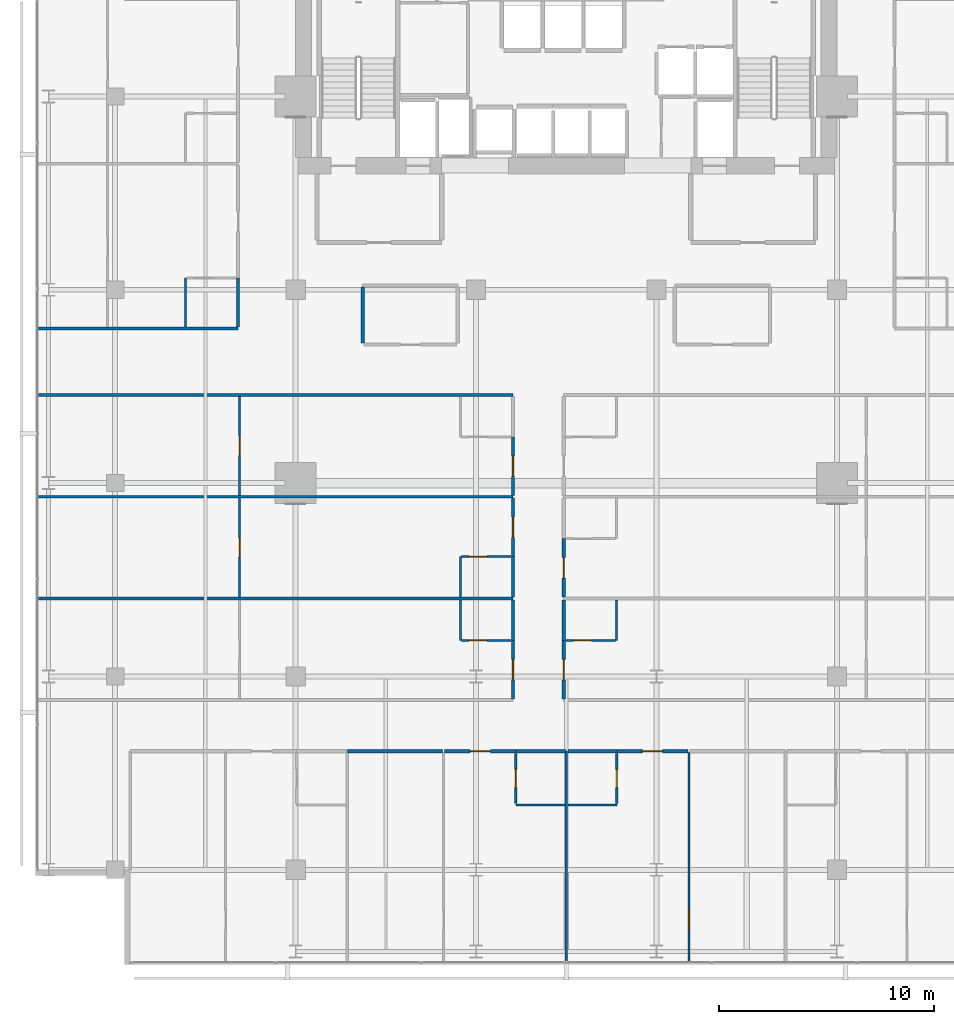
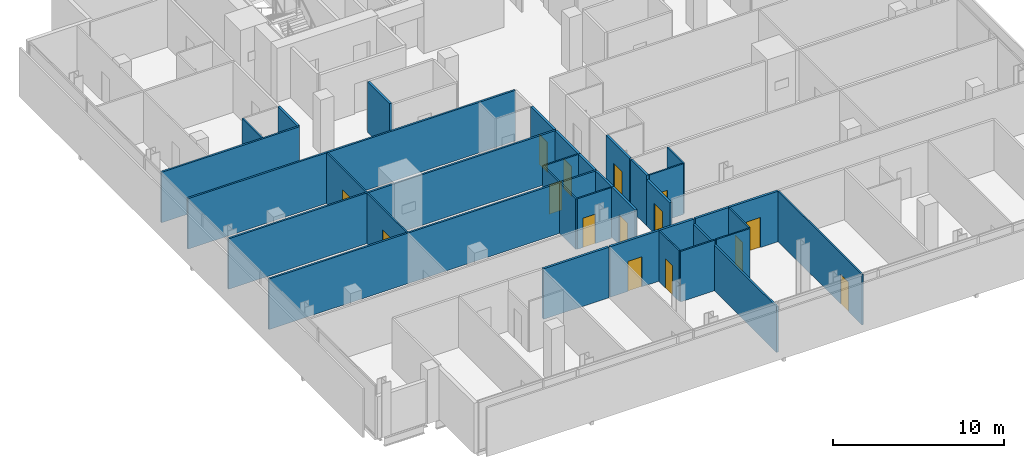
# One storey, part 27 of 33: 34 walls, 15 doors, 15 openings.
"""IFC4 building model written with IfcOpenShell, lengths in metres."""

from ifc_helpers import new_model, si_unit, direction, frame, frame_2d, origin, place, context, subcontext, project, spatial, rectangle, extrude, material, layer, layer_set, type_object, element, fill, save


model = new_model("IFC4")

# Units and contexts
model_context = context("Model", 3, precision=1e-05, world=origin(), true_north=direction((0.0, 1.0)))
body_context = subcontext(model_context, "Body", "Model", "MODEL_VIEW")
ifc_project = project(units=[si_unit("LENGTHUNIT", "METRE"), si_unit("AREAUNIT", "SQUARE_METRE"), si_unit("VOLUMEUNIT", "CUBIC_METRE"), si_unit("PLANEANGLEUNIT", "RADIAN"), si_unit("MASSUNIT", "GRAM", prefix="KILO")], contexts=[model_context])

# Site, building, storey
site_placement = place(None, origin())
site = spatial("IfcSite", under=ifc_project, at=site_placement, CompositionType="ELEMENT")
building_placement = place(site_placement, origin())
building = spatial("IfcBuilding", under=site, at=building_placement, Name="Maruvema Waterfront Hotel and Observation Tower", CompositionType="ELEMENT")
storey_placement = place(building_placement, frame((0.0, 0.0, 142.800048828125)))
storey = spatial("IfcBuildingStorey", under=building, at=storey_placement, Name="L34", CompositionType="ELEMENT", Elevation=142.800048828125)

# Walls
ifc_material_1 = material(Name="Twin-stud acoustic gypsum drywall", Category="gypsum")
ifc_layer_1 = layer(ifc_material_1, 0.14990234375, Name="Acoustic Corridor and Suite Demising Wall 150 mm")
ifc_layer_set_1 = layer_set([ifc_layer_1], Name="Twin-stud acoustic gypsum drywall")
wall_type_1 = type_object("IfcWallType", Name="Acoustic Corridor and Suite Demising Wall 150 mm", PredefinedType="PARTITIONING", material=ifc_layer_set_1)
wall_1_placement = place(storey_placement, frame((28.320068359375, 33.530029296875, 0.0), z_axis=(0.0, 0.0, 1.0), x_axis=(0.0, 1.0, 0.0)))
element("IfcWall", 1, at=wall_1_placement, inside=storey, type_object=wall_type_1, Name="L34 L34-M1 West Wall 018", PredefinedType="PARTITIONING", context=body_context, shape_type="SweptSolid", body=[
    extrude(rectangle(XDim=2.590087890625, YDim=0.14990234375, at=frame_2d((1.294921875, 0.0))), origin(), (0.0, 0.0, 1.0), 3.60986328125),
])
wall_2_placement = place(storey_placement, frame((35.449951171875, 14.52001953125, 0.0), z_axis=(0.0, 0.0, 1.0), x_axis=(1.0, 0.0, 0.0)))
element("IfcWall", 2, at=wall_2_placement, inside=storey, type_object=wall_type_1, Name="L34 Bath L34-S2 Back Wall 034", PredefinedType="PARTITIONING", context=body_context, shape_type="SweptSolid", body=[
    extrude(rectangle(XDim=2.330078125, YDim=0.14990234375, at=frame_2d((1.1650390625, 0.0))), origin(), (0.0, 0.0, 1.0), 3.60986328125),
])
wall_3_placement = place(storey_placement, frame((27.6201171875, 14.52001953125, 0.0), z_axis=(0.0, 0.0, 1.0), x_axis=(1.0, 0.0, 0.0)))
element("IfcWall", 3, at=wall_3_placement, inside=storey, type_object=wall_type_1, Name="L34 Bedroom L34-S2 Back Wall 037", PredefinedType="PARTITIONING", context=body_context, shape_type="SweptSolid", body=[
    extrude(rectangle(XDim=4.427978515625, YDim=0.14990234375, at=frame_2d((2.2138671875, 0.0))), origin(), (0.0, 0.0, 1.0), 3.60986328125),
])

# Wall, opening, door
wall_4_placement = place(storey_placement, frame((32.1279296875, 14.52001953125, 0.0), z_axis=(0.0, 0.0, 1.0), x_axis=(1.0, 0.0, 0.0)))
wall_4 = element("IfcWall", 4, at=wall_4_placement, inside=storey, type_object=wall_type_1, Name="L34 Unit L34-S2 Corridor Wall 038", PredefinedType="PARTITIONING", context=body_context, shape_type="SweptSolid", body=[
    extrude(rectangle(XDim=3.322021484375, YDim=0.14990234375, at=frame_2d((1.6611328125, 0.0))), origin(), (0.0, 0.0, 1.0), 3.60986328125),
])
opening_1_placement = place(wall_4_placement, frame((1.18603515625, 0.0, 0.0)))
opening_1 = element("IfcOpeningElement", 5, at=opening_1_placement, cuts=wall_4, Name="Opening DR-095", PredefinedType="OPENING", context=body_context, shape_type="SweptSolid", body=[
    extrude(rectangle(XDim=0.949951171875, YDim=2.14990234375, at=frame_2d((0.47509765625, 1.074951171875))), frame((0.0, 0.0849609375, 0.0), z_axis=(0.0, -1.0, 0.0), x_axis=(1.0, 0.0, 0.0)), (0.0, 0.0, 1.0), 0.169921875),
])
ifc_material_2 = material(Name="Acoustic solid-core hardwood timber leaf", Category="wood")
door_type_1 = type_object("IfcDoorType", Name="Guestroom Entrance Fire Door 950x2150 mm", OperationType="NOTDEFINED", PredefinedType="DOOR", material=ifc_material_2)
door_1_placement = place(opening_1_placement, frame((0.949951171875, 0.0, 0.0), z_axis=(0.0, 0.0, 1.0), x_axis=(-1.0, 0.0, 0.0)))
door_1 = element("IfcDoor", 6, at=door_1_placement, inside=storey, type_object=door_type_1, Name="L34 Unit L34-S2 Entrance Door", OperationType="SINGLE_SWING_RIGHT", OverallHeight=2.14990234375, OverallWidth=0.949951171875, PredefinedType="DOOR", context=body_context, shape_type="SweptSolid", body=[
    extrude(rectangle(XDim=0.949951171875, YDim=2.14990234375, at=frame_2d((0.47509765625, 1.074951171875))), frame((0.0, 0.02490234375, 0.0), z_axis=(0.0, -1.0, 0.0), x_axis=(1.0, 0.0, 0.0)), (0.0, 0.0, 1.0), 0.050048828125),
])
fill(opening_1, door_1)

# Wall
wall_5_placement = place(storey_placement, frame((37.8798828125, 14.52001953125, 0.0), z_axis=(0.0, 0.0, 1.0), x_axis=(1.0, 0.0, 0.0)))
element("IfcWall", 7, at=wall_5_placement, inside=storey, type_object=wall_type_1, Name="L34 Bath L34-S3 Back Wall 041", PredefinedType="PARTITIONING", context=body_context, shape_type="SweptSolid", body=[
    extrude(rectangle(XDim=2.27001953125, YDim=0.14990234375, at=frame_2d((1.135009765625, 0.0))), origin(), (0.0, 0.0, 1.0), 3.60986328125),
])

# Wall, opening, door
wall_6_placement = place(storey_placement, frame((40.14990234375, 14.52001953125, 0.0), z_axis=(0.0, 0.0, 1.0), x_axis=(1.0, 0.0, 0.0)))
wall_6 = element("IfcWall", 8, at=wall_6_placement, inside=storey, type_object=wall_type_1, Name="L34 Unit L34-S3 Corridor Wall 044", PredefinedType="PARTITIONING", context=body_context, shape_type="SweptSolid", body=[
    extrude(rectangle(XDim=3.322021484375, YDim=0.14990234375, at=frame_2d((1.6611328125, 0.0))), origin(), (0.0, 0.0, 1.0), 3.60986328125),
])
opening_2_placement = place(wall_6_placement, frame((1.18603515625, 0.0, 0.0)))
opening_2 = element("IfcOpeningElement", 9, at=opening_2_placement, cuts=wall_6, Name="Opening DR-095", PredefinedType="OPENING", context=body_context, shape_type="SweptSolid", body=[
    extrude(rectangle(XDim=0.949951171875, YDim=2.14990234375, at=frame_2d((0.47509765625, 1.074951171875))), frame((0.0, 0.0849609375, 0.0), z_axis=(0.0, -1.0, 0.0), x_axis=(1.0, 0.0, 0.0)), (0.0, 0.0, 1.0), 0.169921875),
])
door_2_placement = place(opening_2_placement, frame((0.949951171875, 0.0, 0.0), z_axis=(0.0, 0.0, 1.0), x_axis=(-1.0, 0.0, 0.0)))
door_2 = element("IfcDoor", 10, at=door_2_placement, inside=storey, type_object=door_type_1, Name="L34 Unit L34-S3 Entrance Door", OperationType="SINGLE_SWING_LEFT", OverallHeight=2.14990234375, OverallWidth=0.949951171875, PredefinedType="DOOR", context=body_context, shape_type="SweptSolid", body=[
    extrude(rectangle(XDim=0.949951171875, YDim=2.14990234375, at=frame_2d((0.47509765625, 1.074951171875))), frame((0.0, 0.02490234375, 0.0), z_axis=(0.0, -1.0, 0.0), x_axis=(1.0, 0.0, 0.0)), (0.0, 0.0, 1.0), 0.050048828125),
])
fill(opening_2, door_2)

wall_7_placement = place(storey_placement, frame((35.320068359375, 16.9599609375, 0.0), z_axis=(0.0, 0.0, 1.0), x_axis=(0.0, 1.0, 0.0)))
wall_7 = element("IfcWall", 11, at=wall_7_placement, inside=storey, type_object=wall_type_1, Name="L34 Room L34-W1 Corridor Wall 058", PredefinedType="PARTITIONING", context=body_context, shape_type="SweptSolid", body=[
    extrude(rectangle(XDim=2.719970703125, YDim=0.14990234375, at=frame_2d((1.35986328125, 0.0))), origin(), (0.0, 0.0, 1.0), 3.60986328125),
])
opening_3_placement = place(wall_7_placement, frame((0.885009765625, 0.0, 0.0)))
opening_3 = element("IfcOpeningElement", 12, at=opening_3_placement, cuts=wall_7, Name="Opening DR-095", PredefinedType="OPENING", context=body_context, shape_type="SweptSolid", body=[
    extrude(rectangle(XDim=0.949951171875, YDim=2.14990234375, at=frame_2d((0.47509765625, 1.074951171875))), frame((0.0, 0.0849609375, 0.0), z_axis=(0.0, -1.0, 0.0), x_axis=(1.0, 0.0, 0.0)), (0.0, 0.0, 1.0), 0.169921875),
])
door_3_placement = place(opening_3_placement, origin())
door_3 = element("IfcDoor", 13, at=door_3_placement, inside=storey, type_object=door_type_1, Name="L34 Room L34-W1 Entrance Door", OperationType="SINGLE_SWING_LEFT", OverallHeight=2.14990234375, OverallWidth=0.949951171875, PredefinedType="DOOR", context=body_context, shape_type="SweptSolid", body=[
    extrude(rectangle(XDim=0.949951171875, YDim=2.14990234375, at=frame_2d((0.47509765625, 1.074951171875))), frame((0.0, 0.02490234375, 0.0), z_axis=(0.0, -1.0, 0.0), x_axis=(1.0, 0.0, 0.0)), (0.0, 0.0, 1.0), 0.050048828125),
])
fill(opening_3, door_3)

# Wall
wall_8_placement = place(storey_placement, frame((35.320068359375, 19.679931640625, 0.0), z_axis=(0.0, 0.0, 1.0), x_axis=(0.0, 1.0, 0.0)))
element("IfcWall", 14, at=wall_8_placement, inside=storey, type_object=wall_type_1, Name="L34 Bath L34-W1 Wall 059", PredefinedType="PARTITIONING", context=body_context, shape_type="SweptSolid", body=[
    extrude(rectangle(XDim=1.89013671875, YDim=0.14990234375, at=frame_2d((0.945068359375, 0.0))), origin(), (0.0, 0.0, 1.0), 3.60986328125),
])

# Wall, opening, door
wall_9_placement = place(storey_placement, frame((37.679931640625, 16.9599609375, 0.0), z_axis=(0.0, 0.0, 1.0), x_axis=(0.0, 1.0, 0.0)))
wall_9 = element("IfcWall", 15, at=wall_9_placement, inside=storey, type_object=wall_type_1, Name="L34 Room L34-E1 Corridor Wall 063", PredefinedType="PARTITIONING", context=body_context, shape_type="SweptSolid", body=[
    extrude(rectangle(XDim=2.719970703125, YDim=0.14990234375, at=frame_2d((1.35986328125, 0.0))), origin(), (0.0, 0.0, 1.0), 3.303955078125),
])
opening_4_placement = place(wall_9_placement, frame((0.885009765625, 0.0, 0.0)))
opening_4 = element("IfcOpeningElement", 16, at=opening_4_placement, cuts=wall_9, Name="Opening DR-095", PredefinedType="OPENING", context=body_context, shape_type="SweptSolid", body=[
    extrude(rectangle(XDim=0.949951171875, YDim=2.14990234375, at=frame_2d((0.47509765625, 1.074951171875))), frame((0.0, 0.0849609375, 0.0), z_axis=(0.0, -1.0, 0.0), x_axis=(1.0, 0.0, 0.0)), (0.0, 0.0, 1.0), 0.169921875),
])
door_4_placement = place(opening_4_placement, frame((0.949951171875, 0.0, 0.0), z_axis=(0.0, 0.0, 1.0), x_axis=(-1.0, 0.0, 0.0)))
door_4 = element("IfcDoor", 17, at=door_4_placement, inside=storey, type_object=door_type_1, Name="L34 Room L34-E1 Entrance Door", OperationType="SINGLE_SWING_RIGHT", OverallHeight=2.14990234375, OverallWidth=0.949951171875, PredefinedType="DOOR", context=body_context, shape_type="SweptSolid", body=[
    extrude(rectangle(XDim=0.949951171875, YDim=2.14990234375, at=frame_2d((0.47509765625, 1.074951171875))), frame((0.0, 0.02490234375, 0.0), z_axis=(0.0, -1.0, 0.0), x_axis=(1.0, 0.0, 0.0)), (0.0, 0.0, 1.0), 0.050048828125),
])
fill(opening_4, door_4)

# Walls
for number, where, z_axis, x_axis, name in (
    (18, (37.679931640625, 19.679931640625, 0.0), (0.0, 0.0, 1.0), (0.0, 1.0, 0.0), "L34 Bath L34-E1 Wall 064"),
    (19, (35.320068359375, 21.68994140625, 0.0), (0.0, 0.0, 1.0), (0.0, 1.0, 0.0), "L34 Bath L34-W2 Wall 070"),
):
    element("IfcWall", number, at=place(storey_placement, frame(where, z_axis=z_axis, x_axis=x_axis)), inside=storey, type_object=wall_type_1, Name=name, PredefinedType="PARTITIONING", context=body_context, shape_type="SweptSolid", body=[
        extrude(rectangle(XDim=1.89013671875, YDim=0.14990234375, at=frame_2d((0.945068359375, 0.0))), origin(), (0.0, 0.0, 1.0), 3.60986328125),
    ])

# Wall, opening, door
wall_10_placement = place(storey_placement, frame((35.320068359375, 23.580078125, 0.0), z_axis=(0.0, 0.0, 1.0), x_axis=(0.0, 1.0, 0.0)))
wall_10 = element("IfcWall", 20, at=wall_10_placement, inside=storey, type_object=wall_type_1, Name="L34 Room L34-W2 Corridor Wall 071", PredefinedType="PARTITIONING", context=body_context, shape_type="SweptSolid", body=[
    extrude(rectangle(XDim=2.72998046875, YDim=0.14990234375, at=frame_2d((1.364990234375, 0.0))), origin(), (0.0, 0.0, 1.0), 3.60986328125),
])
opening_5_placement = place(wall_10_placement, frame((0.889892578125, 0.0, 0.0)))
opening_5 = element("IfcOpeningElement", 21, at=opening_5_placement, cuts=wall_10, Name="Opening DR-095", PredefinedType="OPENING", context=body_context, shape_type="SweptSolid", body=[
    extrude(rectangle(XDim=0.949951171875, YDim=2.14990234375, at=frame_2d((0.47509765625, 1.074951171875))), frame((0.0, 0.0849609375, 0.0), z_axis=(0.0, -1.0, 0.0), x_axis=(1.0, 0.0, 0.0)), (0.0, 0.0, 1.0), 0.169921875),
])
door_5_placement = place(opening_5_placement, origin())
door_5 = element("IfcDoor", 22, at=door_5_placement, inside=storey, type_object=door_type_1, Name="L34 Room L34-W2 Entrance Door", OperationType="SINGLE_SWING_LEFT", OverallHeight=2.14990234375, OverallWidth=0.949951171875, PredefinedType="DOOR", context=body_context, shape_type="SweptSolid", body=[
    extrude(rectangle(XDim=0.949951171875, YDim=2.14990234375, at=frame_2d((0.47509765625, 1.074951171875))), frame((0.0, 0.02490234375, 0.0), z_axis=(0.0, -1.0, 0.0), x_axis=(1.0, 0.0, 0.0)), (0.0, 0.0, 1.0), 0.050048828125),
])
fill(opening_5, door_5)

wall_11_placement = place(storey_placement, frame((37.679931640625, 21.68994140625, 0.0), z_axis=(0.0, 0.0, 1.0), x_axis=(0.0, 1.0, 0.0)))
wall_11 = element("IfcWall", 23, at=wall_11_placement, inside=storey, type_object=wall_type_1, Name="L34 Room L34-E2 Corridor Wall 075", PredefinedType="PARTITIONING", context=body_context, shape_type="SweptSolid", body=[
    extrude(rectangle(XDim=2.72998046875, YDim=0.14990234375, at=frame_2d((1.364990234375, 0.0))), origin(), (0.0, 0.0, 1.0), 3.60986328125),
])
opening_6_placement = place(wall_11_placement, frame((0.889892578125, 0.0, 0.0)))
opening_6 = element("IfcOpeningElement", 24, at=opening_6_placement, cuts=wall_11, Name="Opening DR-095", PredefinedType="OPENING", context=body_context, shape_type="SweptSolid", body=[
    extrude(rectangle(XDim=0.949951171875, YDim=2.14990234375, at=frame_2d((0.47509765625, 1.074951171875))), frame((0.0, 0.0849609375, 0.0), z_axis=(0.0, -1.0, 0.0), x_axis=(1.0, 0.0, 0.0)), (0.0, 0.0, 1.0), 0.169921875),
])
door_6_placement = place(opening_6_placement, frame((0.949951171875, 0.0, 0.0), z_axis=(0.0, 0.0, 1.0), x_axis=(-1.0, 0.0, 0.0)))
door_6 = element("IfcDoor", 25, at=door_6_placement, inside=storey, type_object=door_type_1, Name="L34 Room L34-E2 Entrance Door", OperationType="SINGLE_SWING_RIGHT", OverallHeight=2.14990234375, OverallWidth=0.949951171875, PredefinedType="DOOR", context=body_context, shape_type="SweptSolid", body=[
    extrude(rectangle(XDim=0.949951171875, YDim=2.14990234375, at=frame_2d((0.47509765625, 1.074951171875))), frame((0.0, 0.02490234375, 0.0), z_axis=(0.0, -1.0, 0.0), x_axis=(1.0, 0.0, 0.0)), (0.0, 0.0, 1.0), 0.050048828125),
])
fill(opening_6, door_6)

wall_12_placement = place(storey_placement, frame((35.320068359375, 26.429931640625, 0.0), z_axis=(0.0, 0.0, 1.0), x_axis=(0.0, 1.0, 0.0)))
wall_12 = element("IfcWall", 26, at=wall_12_placement, inside=storey, type_object=wall_type_1, Name="L34 Room L34-W3 Corridor Wall 082", PredefinedType="PARTITIONING", context=body_context, shape_type="SweptSolid", body=[
    extrude(rectangle(XDim=2.719970703125, YDim=0.14990234375, at=frame_2d((1.35986328125, 0.0))), origin(), (0.0, 0.0, 1.0), 3.60986328125),
])
opening_7_placement = place(wall_12_placement, frame((0.885009765625, 0.0, 0.0)))
opening_7 = element("IfcOpeningElement", 27, at=opening_7_placement, cuts=wall_12, Name="Opening DR-095", PredefinedType="OPENING", context=body_context, shape_type="SweptSolid", body=[
    extrude(rectangle(XDim=0.949951171875, YDim=2.14990234375, at=frame_2d((0.47509765625, 1.074951171875))), frame((0.0, 0.0849609375, 0.0), z_axis=(0.0, -1.0, 0.0), x_axis=(1.0, 0.0, 0.0)), (0.0, 0.0, 1.0), 0.169921875),
])
door_7_placement = place(opening_7_placement, origin())
door_7 = element("IfcDoor", 28, at=door_7_placement, inside=storey, type_object=door_type_1, Name="L34 Room L34-W3 Entrance Door", OperationType="SINGLE_SWING_LEFT", OverallHeight=2.14990234375, OverallWidth=0.949951171875, PredefinedType="DOOR", context=body_context, shape_type="SweptSolid", body=[
    extrude(rectangle(XDim=0.949951171875, YDim=2.14990234375, at=frame_2d((0.47509765625, 1.074951171875))), frame((0.0, 0.02490234375, 0.0), z_axis=(0.0, -1.0, 0.0), x_axis=(1.0, 0.0, 0.0)), (0.0, 0.0, 1.0), 0.050048828125),
])
fill(opening_7, door_7)

# Walls
wall_13_placement = place(storey_placement, frame((22.52001953125, 34.260009765625, 0.0), z_axis=(0.0, 0.0, 1.0), x_axis=(0.0, 1.0, 0.0)))
element("IfcWall", 29, at=wall_13_placement, inside=storey, type_object=wall_type_1, Name="L34 Bath L34-NW1 Wall 096", PredefinedType="PARTITIONING", context=body_context, shape_type="SweptSolid", body=[
    extrude(rectangle(XDim=2.2900390625, YDim=0.14990234375, at=frame_2d((1.14501953125, 0.0))), origin(), (0.0, 0.0, 1.0), 3.60986328125),
])
ifc_material_3 = material(Name="Moisture-resistant cement-board drywall", Category="gypsum")
ifc_layer_2 = layer(ifc_material_3, 0.10009765625, Name="En-Suite Moisture-Resistant Partition 100 mm")
ifc_layer_set_2 = layer_set([ifc_layer_2], Name="Moisture-resistant cement-board drywall")
wall_type_2 = type_object("IfcWallType", Name="En-Suite Moisture-Resistant Partition 100 mm", PredefinedType="PARTITIONING", material=ifc_layer_set_2)
wall_14_placement = place(storey_placement, frame((35.449951171875, 12.02001953125, 0.0), z_axis=(0.0, 0.0, 1.0), x_axis=(1.0, 0.0, 0.0)))
element("IfcWall", 30, at=wall_14_placement, inside=storey, type_object=wall_type_2, Name="L34 En-Suite L34-S2 South 035", PredefinedType="PARTITIONING", context=body_context, shape_type="SweptSolid", body=[
    extrude(rectangle(XDim=2.31005859375, YDim=0.10009765625, at=frame_2d((1.155029296875, 0.0))), origin(), (0.0, 0.0, 1.0), 3.60986328125),
])

# Wall, opening, door
wall_15_placement = place(storey_placement, frame((35.449951171875, 12.080078125, 0.0), z_axis=(0.0, 0.0, 1.0), x_axis=(0.0, 1.0, 0.0)))
wall_15 = element("IfcWall", 31, at=wall_15_placement, inside=storey, type_object=wall_type_2, Name="L34 En-Suite L34-S2 West 036", PredefinedType="PARTITIONING", context=body_context, shape_type="SweptSolid", body=[
    extrude(rectangle(XDim=2.33984375, YDim=0.10009765625, at=frame_2d((1.169921875, 0.0))), origin(), (0.0, 0.0, 1.0), 3.60986328125),
])
opening_8_placement = place(wall_15_placement, frame((0.7451171875, 0.0, 0.0)))
opening_8 = element("IfcOpeningElement", 32, at=opening_8_placement, cuts=wall_15, Name="Opening DR-085", PredefinedType="OPENING", context=body_context, shape_type="SweptSolid", body=[
    extrude(rectangle(XDim=0.85009765625, YDim=2.10009765625, at=frame_2d((0.425048828125, 1.050048828125))), frame((0.0, 0.06005859375, 0.0), z_axis=(0.0, -1.0, 0.0), x_axis=(1.0, 0.0, 0.0)), (0.0, 0.0, 1.0), 0.1201171875),
])
ifc_material_4 = material(Name="Moisture-resistant solid timber leaf", Category="wood")
door_type_2 = type_object("IfcDoorType", Name="En-Suite Bathroom Door 850x2100 mm", OperationType="NOTDEFINED", PredefinedType="DOOR", material=ifc_material_4)
door_8_placement = place(opening_8_placement, origin())
door_8 = element("IfcDoor", 33, at=door_8_placement, inside=storey, type_object=door_type_2, Name="L34 En-Suite L34-S2 Door", OperationType="SINGLE_SWING_LEFT", OverallHeight=2.10009765625, OverallWidth=0.85009765625, PredefinedType="DOOR", context=body_context, shape_type="SweptSolid", body=[
    extrude(rectangle(XDim=0.85009765625, YDim=2.10009765625, at=frame_2d((0.425048828125, 1.050048828125))), frame((0.0, 0.02490234375, 0.0), z_axis=(0.0, -1.0, 0.0), x_axis=(1.0, 0.0, 0.0)), (0.0, 0.0, 1.0), 0.050048828125),
])
fill(opening_8, door_8)

# Wall
wall_16_placement = place(storey_placement, frame((37.8798828125, 12.02001953125, 0.0), z_axis=(0.0, 0.0, 1.0), x_axis=(1.0, 0.0, 0.0)))
element("IfcWall", 34, at=wall_16_placement, inside=storey, type_object=wall_type_2, Name="L34 En-Suite L34-S3 South 042", PredefinedType="PARTITIONING", context=body_context, shape_type="SweptSolid", body=[
    extrude(rectangle(XDim=2.27001953125, YDim=0.10009765625, at=frame_2d((1.135009765625, 0.0))), origin(), (0.0, 0.0, 1.0), 3.60986328125),
])

# Wall, opening, door
wall_17_placement = place(storey_placement, frame((40.14990234375, 12.080078125, 0.0), z_axis=(0.0, 0.0, 1.0), x_axis=(0.0, 1.0, 0.0)))
wall_17 = element("IfcWall", 35, at=wall_17_placement, inside=storey, type_object=wall_type_2, Name="L34 En-Suite L34-S3 East 043", PredefinedType="PARTITIONING", context=body_context, shape_type="SweptSolid", body=[
    extrude(rectangle(XDim=2.33984375, YDim=0.10009765625, at=frame_2d((1.169921875, 0.0))), origin(), (0.0, 0.0, 1.0), 3.60986328125),
])
opening_9_placement = place(wall_17_placement, frame((0.7451171875, 0.0, 0.0)))
opening_9 = element("IfcOpeningElement", 36, at=opening_9_placement, cuts=wall_17, Name="Opening DR-085", PredefinedType="OPENING", context=body_context, shape_type="SweptSolid", body=[
    extrude(rectangle(XDim=0.85009765625, YDim=2.10009765625, at=frame_2d((0.425048828125, 1.050048828125))), frame((0.0, 0.06005859375, 0.0), z_axis=(0.0, -1.0, 0.0), x_axis=(1.0, 0.0, 0.0)), (0.0, 0.0, 1.0), 0.1201171875),
])
door_9_placement = place(opening_9_placement, frame((0.85009765625, 0.0, 0.0), z_axis=(0.0, 0.0, 1.0), x_axis=(-1.0, 0.0, 0.0)))
door_9 = element("IfcDoor", 37, at=door_9_placement, inside=storey, type_object=door_type_2, Name="L34 En-Suite L34-S3 Door", OperationType="SINGLE_SWING_RIGHT", OverallHeight=2.10009765625, OverallWidth=0.85009765625, PredefinedType="DOOR", context=body_context, shape_type="SweptSolid", body=[
    extrude(rectangle(XDim=0.85009765625, YDim=2.10009765625, at=frame_2d((0.425048828125, 1.050048828125))), frame((0.0, 0.02490234375, 0.0), z_axis=(0.0, -1.0, 0.0), x_axis=(1.0, 0.0, 0.0)), (0.0, 0.0, 1.0), 0.050048828125),
])
fill(opening_9, door_9)

wall_18_placement = place(storey_placement, frame((43.511962890625, 4.6298828125, 0.0), z_axis=(0.0, 0.0, 1.0), x_axis=(0.0, 1.0, 0.0)))
wall_18 = element("IfcWall", 38, at=wall_18_placement, inside=storey, type_object=wall_type_2, Name="L34 Suite L34-S3 Split 046", PredefinedType="PARTITIONING", context=body_context, shape_type="SweptSolid", body=[
    extrude(rectangle(XDim=9.830078125, YDim=0.10009765625, at=frame_2d((4.9150390625, 0.0))), origin(), (0.0, 0.0, 1.0), 3.60986328125),
])
opening_10_placement = place(wall_18_placement, frame((1.60009765625, 0.0, 0.0)))
opening_10 = element("IfcOpeningElement", 39, at=opening_10_placement, cuts=wall_18, Name="Opening DR-090", PredefinedType="OPENING", context=body_context, shape_type="SweptSolid", body=[
    extrude(rectangle(XDim=0.89990234375, YDim=2.10009765625, at=frame_2d((0.449951171875, 1.050048828125))), frame((0.0, 0.06005859375, 0.0), z_axis=(0.0, -1.0, 0.0), x_axis=(1.0, 0.0, 0.0)), (0.0, 0.0, 1.0), 0.1201171875),
])
ifc_material_5 = material(Name="Solid-core lacquered timber leaf", Category="wood")
door_type_3 = type_object("IfcDoorType", Name="Accessible Toilet and Room Door 900x2100 mm", OperationType="NOTDEFINED", PredefinedType="DOOR", material=ifc_material_5)
door_10_placement = place(opening_10_placement, origin())
door_10 = element("IfcDoor", 40, at=door_10_placement, inside=storey, type_object=door_type_3, Name="L34 Suite L34-S3 Bedroom Door", OperationType="SINGLE_SWING_RIGHT", OverallHeight=2.10009765625, OverallWidth=0.89990234375, PredefinedType="DOOR", context=body_context, shape_type="SweptSolid", body=[
    extrude(rectangle(XDim=0.89990234375, YDim=2.10009765625, at=frame_2d((0.449951171875, 1.050048828125))), frame((0.0, 0.02490234375, 0.0), z_axis=(0.0, -1.0, 0.0), x_axis=(1.0, 0.0, 0.0)), (0.0, 0.0, 1.0), 0.050048828125),
])
fill(opening_10, door_10)

# Wall
wall_19_placement = place(storey_placement, frame((32.8701171875, 19.679931640625, 0.0), z_axis=(0.0, 0.0, 1.0), x_axis=(0.0, 1.0, 0.0)))
element("IfcWall", 41, at=wall_19_placement, inside=storey, type_object=wall_type_2, Name="L34 En-Suite L34-W1 W 060", PredefinedType="PARTITIONING", context=body_context, shape_type="SweptSolid", body=[
    extrude(rectangle(XDim=1.89013671875, YDim=0.10009765625, at=frame_2d((0.945068359375, 0.0))), origin(), (0.0, 0.0, 1.0), 3.60986328125),
])

# Wall, opening, door
wall_20_placement = place(storey_placement, frame((32.919921875, 19.679931640625, 0.0), z_axis=(0.0, 0.0, 1.0), x_axis=(1.0, 0.0, 0.0)))
wall_20 = element("IfcWall", 42, at=wall_20_placement, inside=storey, type_object=wall_type_2, Name="L34 En-Suite L34-W1 S 061", PredefinedType="PARTITIONING", context=body_context, shape_type="SweptSolid", body=[
    extrude(rectangle(XDim=2.300048828125, YDim=0.10009765625, at=frame_2d((1.14990234375, 0.0))), origin(), (0.0, 0.0, 1.0), 3.60986328125),
])
opening_11_placement = place(wall_20_placement, frame((0.35009765625, 0.0, 0.0)))
opening_11 = element("IfcOpeningElement", 43, at=opening_11_placement, cuts=wall_20, Name="Opening DR-085", PredefinedType="OPENING", context=body_context, shape_type="SweptSolid", body=[
    extrude(rectangle(XDim=0.85009765625, YDim=2.10009765625, at=frame_2d((0.425048828125, 1.050048828125))), frame((0.0, 0.06005859375, 0.0), z_axis=(0.0, -1.0, 0.0), x_axis=(1.0, 0.0, 0.0)), (0.0, 0.0, 1.0), 0.1201171875),
])
door_11_placement = place(opening_11_placement, frame((0.85009765625, 0.0, 0.0), z_axis=(0.0, 0.0, 1.0), x_axis=(-1.0, 0.0, 0.0)))
door_11 = element("IfcDoor", 44, at=door_11_placement, inside=storey, type_object=door_type_2, Name="L34 En-Suite L34-W1 Door", OperationType="SINGLE_SWING_RIGHT", OverallHeight=2.10009765625, OverallWidth=0.85009765625, PredefinedType="DOOR", context=body_context, shape_type="SweptSolid", body=[
    extrude(rectangle(XDim=0.85009765625, YDim=2.10009765625, at=frame_2d((0.425048828125, 1.050048828125))), frame((0.0, 0.02490234375, 0.0), z_axis=(0.0, -1.0, 0.0), x_axis=(1.0, 0.0, 0.0)), (0.0, 0.0, 1.0), 0.050048828125),
])
fill(opening_11, door_11)

# Wall
wall_21_placement = place(storey_placement, frame((40.1298828125, 19.679931640625, 0.0), z_axis=(0.0, 0.0, 1.0), x_axis=(0.0, 1.0, 0.0)))
element("IfcWall", 45, at=wall_21_placement, inside=storey, type_object=wall_type_2, Name="L34 En-Suite L34-E1 E 065", PredefinedType="PARTITIONING", context=body_context, shape_type="SweptSolid", body=[
    extrude(rectangle(XDim=1.89013671875, YDim=0.10009765625, at=frame_2d((0.945068359375, 0.0))), origin(), (0.0, 0.0, 1.0), 3.60986328125),
])

# Wall, opening, door
wall_22_placement = place(storey_placement, frame((37.780029296875, 19.679931640625, 0.0), z_axis=(0.0, 0.0, 1.0), x_axis=(1.0, 0.0, 0.0)))
wall_22 = element("IfcWall", 46, at=wall_22_placement, inside=storey, type_object=wall_type_2, Name="L34 En-Suite L34-E1 S 066", PredefinedType="PARTITIONING", context=body_context, shape_type="SweptSolid", body=[
    extrude(rectangle(XDim=2.300048828125, YDim=0.10009765625, at=frame_2d((1.14990234375, 0.0))), origin(), (0.0, 0.0, 1.0), 3.60986328125),
])
opening_12_placement = place(wall_22_placement, frame((0.35009765625, 0.0, 0.0)))
opening_12 = element("IfcOpeningElement", 47, at=opening_12_placement, cuts=wall_22, Name="Opening DR-085", PredefinedType="OPENING", context=body_context, shape_type="SweptSolid", body=[
    extrude(rectangle(XDim=0.85009765625, YDim=2.10009765625, at=frame_2d((0.425048828125, 1.050048828125))), frame((0.0, 0.06005859375, 0.0), z_axis=(0.0, -1.0, 0.0), x_axis=(1.0, 0.0, 0.0)), (0.0, 0.0, 1.0), 0.1201171875),
])
door_12_placement = place(opening_12_placement, frame((0.85009765625, 0.0, 0.0), z_axis=(0.0, 0.0, 1.0), x_axis=(-1.0, 0.0, 0.0)))
door_12 = element("IfcDoor", 48, at=door_12_placement, inside=storey, type_object=door_type_2, Name="L34 En-Suite L34-E1 Door", OperationType="SINGLE_SWING_LEFT", OverallHeight=2.10009765625, OverallWidth=0.85009765625, PredefinedType="DOOR", context=body_context, shape_type="SweptSolid", body=[
    extrude(rectangle(XDim=0.85009765625, YDim=2.10009765625, at=frame_2d((0.425048828125, 1.050048828125))), frame((0.0, 0.02490234375, 0.0), z_axis=(0.0, -1.0, 0.0), x_axis=(1.0, 0.0, 0.0)), (0.0, 0.0, 1.0), 0.050048828125),
])
fill(opening_12, door_12)

# Wall
wall_23_placement = place(storey_placement, frame((32.8701171875, 21.68994140625, 0.0), z_axis=(0.0, 0.0, 1.0), x_axis=(0.0, 1.0, 0.0)))
element("IfcWall", 49, at=wall_23_placement, inside=storey, type_object=wall_type_2, Name="L34 En-Suite L34-W2 W 072", PredefinedType="PARTITIONING", context=body_context, shape_type="SweptSolid", body=[
    extrude(rectangle(XDim=1.89013671875, YDim=0.10009765625, at=frame_2d((0.945068359375, 0.0))), origin(), (0.0, 0.0, 1.0), 3.60986328125),
])

# Wall, opening, door
wall_24_placement = place(storey_placement, frame((32.919921875, 23.580078125, 0.0), z_axis=(0.0, 0.0, 1.0), x_axis=(1.0, 0.0, 0.0)))
wall_24 = element("IfcWall", 50, at=wall_24_placement, inside=storey, type_object=wall_type_2, Name="L34 En-Suite L34-W2 N 073", PredefinedType="PARTITIONING", context=body_context, shape_type="SweptSolid", body=[
    extrude(rectangle(XDim=2.300048828125, YDim=0.10009765625, at=frame_2d((1.14990234375, 0.0))), origin(), (0.0, 0.0, 1.0), 3.60986328125),
])
opening_13_placement = place(wall_24_placement, frame((0.35009765625, 0.0, 0.0)))
opening_13 = element("IfcOpeningElement", 51, at=opening_13_placement, cuts=wall_24, Name="Opening DR-085", PredefinedType="OPENING", context=body_context, shape_type="SweptSolid", body=[
    extrude(rectangle(XDim=0.85009765625, YDim=2.10009765625, at=frame_2d((0.425048828125, 1.050048828125))), frame((0.0, 0.06005859375, 0.0), z_axis=(0.0, -1.0, 0.0), x_axis=(1.0, 0.0, 0.0)), (0.0, 0.0, 1.0), 0.1201171875),
])
door_13_placement = place(opening_13_placement, origin())
door_13 = element("IfcDoor", 52, at=door_13_placement, inside=storey, type_object=door_type_2, Name="L34 En-Suite L34-W2 Door", OperationType="SINGLE_SWING_RIGHT", OverallHeight=2.10009765625, OverallWidth=0.85009765625, PredefinedType="DOOR", context=body_context, shape_type="SweptSolid", body=[
    extrude(rectangle(XDim=0.85009765625, YDim=2.10009765625, at=frame_2d((0.425048828125, 1.050048828125))), frame((0.0, 0.02490234375, 0.0), z_axis=(0.0, -1.0, 0.0), x_axis=(1.0, 0.0, 0.0)), (0.0, 0.0, 1.0), 0.050048828125),
])
fill(opening_13, door_13)

wall_25_placement = place(storey_placement, frame((22.589599609375, 21.68994140625, 0.0), z_axis=(0.0, 0.0, 1.0), x_axis=(0.0, 1.0, 0.0)))
wall_25 = element("IfcWall", 53, at=wall_25_placement, inside=storey, type_object=wall_type_2, Name="L34 Suite L34-W2 Split 074", PredefinedType="PARTITIONING", context=body_context, shape_type="SweptSolid", body=[
    extrude(rectangle(XDim=4.6201171875, YDim=0.10009765625, at=frame_2d((2.31005859375, 0.0))), origin(), (0.0, 0.0, 1.0), 3.60986328125),
])
opening_14_placement = place(wall_25_placement, frame((1.860107421875, 0.0, 0.0)))
opening_14 = element("IfcOpeningElement", 54, at=opening_14_placement, cuts=wall_25, Name="Opening DR-090", PredefinedType="OPENING", context=body_context, shape_type="SweptSolid", body=[
    extrude(rectangle(XDim=0.89990234375, YDim=2.10009765625, at=frame_2d((0.449951171875, 1.050048828125))), frame((0.0, 0.06005859375, 0.0), z_axis=(0.0, -1.0, 0.0), x_axis=(1.0, 0.0, 0.0)), (0.0, 0.0, 1.0), 0.1201171875),
])
door_14_placement = place(opening_14_placement, origin())
door_14 = element("IfcDoor", 55, at=door_14_placement, inside=storey, type_object=door_type_3, Name="L34 Suite L34-W2 Bedroom Door", OperationType="SINGLE_SWING_RIGHT", OverallHeight=2.10009765625, OverallWidth=0.89990234375, PredefinedType="DOOR", context=body_context, shape_type="SweptSolid", body=[
    extrude(rectangle(XDim=0.89990234375, YDim=2.10009765625, at=frame_2d((0.449951171875, 1.050048828125))), frame((0.0, 0.02490234375, 0.0), z_axis=(0.0, -1.0, 0.0), x_axis=(1.0, 0.0, 0.0)), (0.0, 0.0, 1.0), 0.050048828125),
])
fill(opening_14, door_14)

wall_26_placement = place(storey_placement, frame((22.589599609375, 26.429931640625, 0.0), z_axis=(0.0, 0.0, 1.0), x_axis=(0.0, 1.0, 0.0)))
wall_26 = element("IfcWall", 56, at=wall_26_placement, inside=storey, type_object=wall_type_2, Name="L34 Suite L34-W3 Split 086", PredefinedType="PARTITIONING", context=body_context, shape_type="SweptSolid", body=[
    extrude(rectangle(XDim=4.610107421875, YDim=0.10009765625, at=frame_2d((2.30517578125, 0.0))), origin(), (0.0, 0.0, 1.0), 3.60986328125),
])
opening_15_placement = place(wall_26_placement, frame((1.85498046875, 0.0, 0.0)))
opening_15 = element("IfcOpeningElement", 57, at=opening_15_placement, cuts=wall_26, Name="Opening DR-090", PredefinedType="OPENING", context=body_context, shape_type="SweptSolid", body=[
    extrude(rectangle(XDim=0.89990234375, YDim=2.10009765625, at=frame_2d((0.449951171875, 1.050048828125))), frame((0.0, 0.06005859375, 0.0), z_axis=(0.0, -1.0, 0.0), x_axis=(1.0, 0.0, 0.0)), (0.0, 0.0, 1.0), 0.1201171875),
])
door_15_placement = place(opening_15_placement, origin())
door_15 = element("IfcDoor", 58, at=door_15_placement, inside=storey, type_object=door_type_3, Name="L34 Suite L34-W3 Bedroom Door", OperationType="SINGLE_SWING_RIGHT", OverallHeight=2.10009765625, OverallWidth=0.89990234375, PredefinedType="DOOR", context=body_context, shape_type="SweptSolid", body=[
    extrude(rectangle(XDim=0.89990234375, YDim=2.10009765625, at=frame_2d((0.449951171875, 1.050048828125))), frame((0.0, 0.02490234375, 0.0), z_axis=(0.0, -1.0, 0.0), x_axis=(1.0, 0.0, 0.0)), (0.0, 0.0, 1.0), 0.050048828125),
])
fill(opening_15, door_15)

# Walls
wall_27_placement = place(storey_placement, frame((20.070068359375, 34.260009765625, 0.0), z_axis=(0.0, 0.0, 1.0), x_axis=(0.0, 1.0, 0.0)))
element("IfcWall", 59, at=wall_27_placement, inside=storey, type_object=wall_type_2, Name="L34 En-Suite L34-NW1 W 098", PredefinedType="PARTITIONING", context=body_context, shape_type="SweptSolid", body=[
    extrude(rectangle(XDim=2.2900390625, YDim=0.10009765625, at=frame_2d((1.14501953125, 0.0))), origin(), (0.0, 0.0, 1.0), 3.60986328125),
])
ifc_material_6 = material(Name="Acoustic gypsum plasterboard drywall", Category="gypsum")
ifc_layer_3 = layer(ifc_material_6, 0.125, Name="Guestroom Acoustic Demising Wall 125 mm")
ifc_layer_set_3 = layer_set([ifc_layer_3], Name="Acoustic gypsum plasterboard drywall")
wall_type_3 = type_object("IfcWallType", Name="Guestroom Acoustic Demising Wall 125 mm", PredefinedType="PARTITIONING", material=ifc_layer_set_3)
wall_28_placement = place(storey_placement, frame((37.800048828125, 4.699951171875, 0.0), z_axis=(0.0, 0.0, 1.0), x_axis=(0.0, 1.0, 0.0)))
element("IfcWall", 60, at=wall_28_placement, inside=storey, type_object=wall_type_3, Name="L34 Z2 S Demising 3 040", PredefinedType="PARTITIONING", context=body_context, shape_type="SweptSolid", body=[
    extrude(rectangle(XDim=9.820068359375, YDim=0.125, at=frame_2d((4.91015625, 0.0))), origin(), (0.0, 0.0, 1.0), 3.2548828125),
])
for number, where, z_axis, x_axis, name in (
    (61, (13.199951171875, 31.10009765625, 0.0), (0.0, 0.0, 1.0), (1.0, 0.0, 0.0), "L34 Z2 W Top End 056"),
    (62, (13.199951171875, 21.6298828125, 0.0), (0.0, 0.0, 1.0), (1.0, 0.0, 0.0), "L34 Z2 W Demising 2 068"),
    (63, (13.199951171875, 26.3701171875, 0.0), (0.0, 0.0, 1.0), (1.0, 0.0, 0.0), "L34 Z2 W Demising 3 080"),
):
    element("IfcWall", number, at=place(storey_placement, frame(where, z_axis=z_axis, x_axis=x_axis)), inside=storey, type_object=wall_type_3, Name=name, PredefinedType="PARTITIONING", context=body_context, shape_type="SweptSolid", body=[
        extrude(rectangle(XDim=22.1201171875, YDim=0.125, at=frame_2d((11.06005859375, 0.0))), origin(), (0.0, 0.0, 1.0), 3.60986328125),
    ])
wall_29_placement = place(storey_placement, frame((13.199951171875, 34.199951171875, 0.0), z_axis=(0.0, 0.0, 1.0), x_axis=(1.0, 0.0, 0.0)))
element("IfcWall", 64, at=wall_29_placement, inside=storey, type_object=wall_type_3, Name="L34 Z2 NW Bot End 092", PredefinedType="PARTITIONING", context=body_context, shape_type="SweptSolid", body=[
    extrude(rectangle(XDim=9.320068359375, YDim=0.125, at=frame_2d((4.66015625, 0.0))), origin(), (0.0, 0.0, 1.0), 3.60986328125),
])

save(model, "model.ifc")
